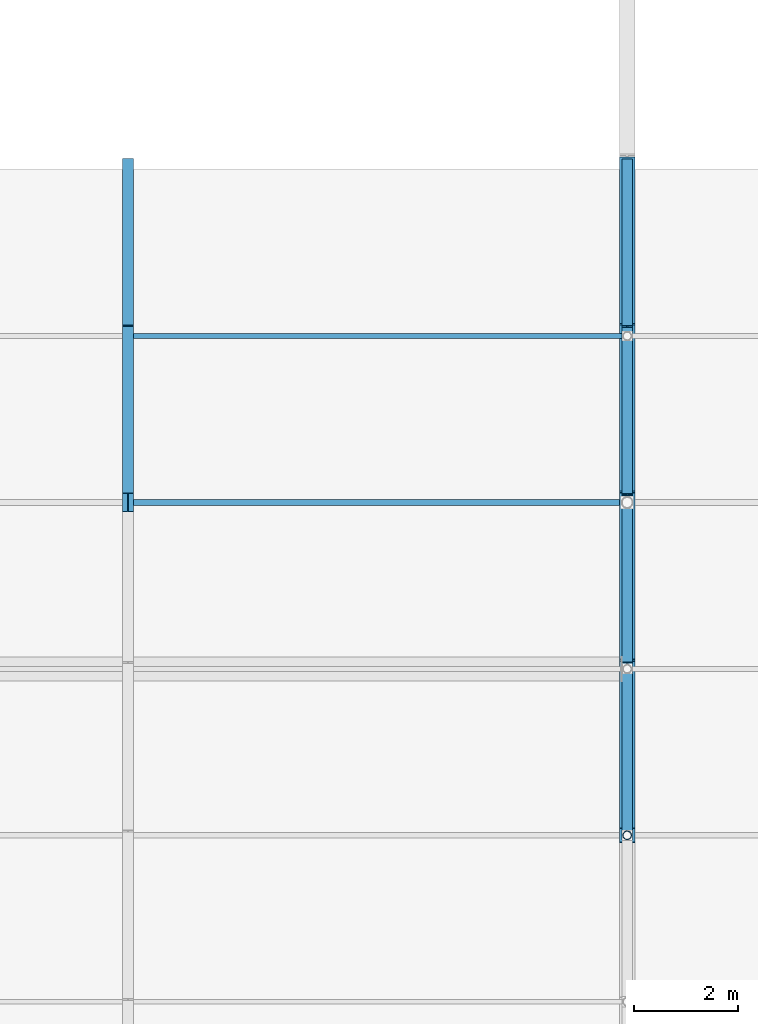
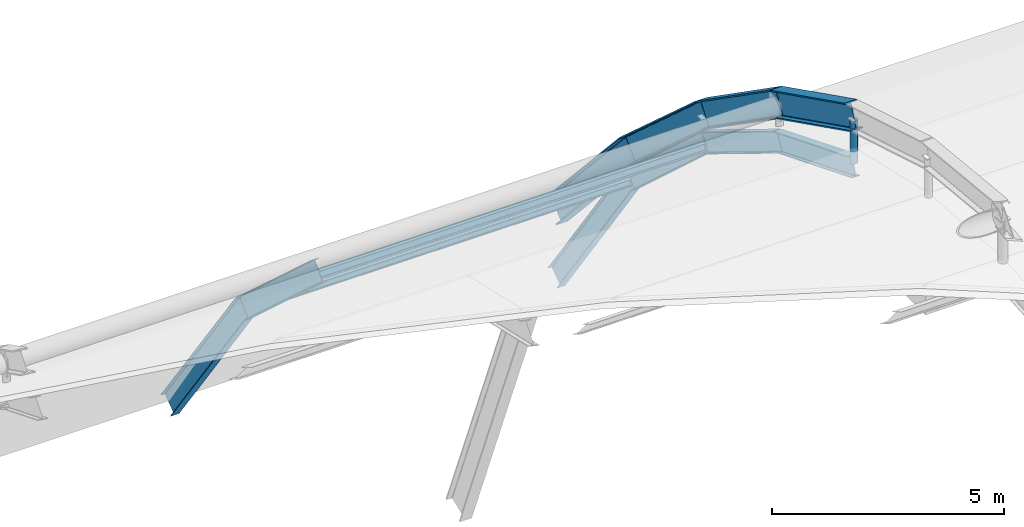
# One storey, part 89 of 126: 10 beams, 3 members.
"""IFC4 building model written with IfcOpenShell, lengths in metres."""

from ifc_helpers import new_model, si_unit, direction, frame, origin, origin_2d, place, context, subcontext, project, spatial, hollow_circle, i_section, extrude, material, material_profile, profile_set, type_object, element, save


model = new_model("IFC4")

# Units and contexts
model_context = context("Model", 3, precision=1e-05, world=origin(), true_north=direction((0.0, 1.0)))
body_context = subcontext(model_context, "Body", "Model", "MODEL_VIEW")
ifc_project = project(units=[si_unit("LENGTHUNIT", "METRE"), si_unit("AREAUNIT", "SQUARE_METRE"), si_unit("VOLUMEUNIT", "CUBIC_METRE"), si_unit("PLANEANGLEUNIT", "RADIAN"), si_unit("MASSUNIT", "GRAM", prefix="KILO")], contexts=[model_context])

# Site, building, storey
site_placement = place(None, origin())
site = spatial("IfcSite", under=ifc_project, at=site_placement, CompositionType="ELEMENT")
building_placement = place(site_placement, origin())
building = spatial("IfcBuilding", under=site, at=building_placement, Name="Coralgate Yard Interchange", CompositionType="ELEMENT")
storey_placement = place(building_placement, frame((0.0, 0.0, 10.5)))
storey = spatial("IfcBuildingStorey", under=building, at=storey_placement, Name="L02", CompositionType="ELEMENT", Elevation=10.5)

# Beams
ifc_material_1 = material(Name="Yellow-ochre weather-coated structural steel S355J2", Category="steel")
ifc_material_profile_1 = material_profile(ifc_material_1, i_section(OverallWidth=0.300048828125, OverallDepth=0.64990234375, WebThickness=0.01611328125, FlangeThickness=0.031005859375, FilletRadius=0.027099609375, at=origin_2d()), Name="HEB 650")
ifc_profile_set_1 = profile_set([ifc_material_profile_1], Name="Yellow-ochre weather-coated structural steel S355J2")
beam_type_1 = type_object("IfcBeamType", Name="BM-AR-1", PredefinedType="BEAM", material=ifc_profile_set_1)
beam_1_placement = place(storey_placement, frame((124.800048828125, 64.0, 11.922119140625), z_axis=(0.0, 0.894740986573, -0.446585453129), x_axis=(-1.0, 0.0, 0.0)))
element("IfcBeam", 1, at=beam_1_placement, inside=storey, type_object=beam_type_1, Name="Yellow-ochre overarching steel arch AR-5 chord 10", PredefinedType="BEAM", context=body_context, shape_type="SweptSolid", body=[
    extrude(i_section(OverallWidth=0.300048828125, OverallDepth=0.64990234375, WebThickness=0.01611328125, FlangeThickness=0.031005859375, FilletRadius=0.027099609375, at=origin_2d()), origin(), (0.0, 0.0, 1.0), 3.576416015625),
])
beam_2_placement = place(storey_placement, frame((124.800048828125, 67.199951171875, 10.324951171875), z_axis=(0.0, 0.819698802508, -0.572794791498), x_axis=(-1.0, 0.0, 0.0)))
element("IfcBeam", 2, at=beam_2_placement, inside=storey, type_object=beam_type_1, Name="Yellow-ochre overarching steel arch AR-5 chord 11", PredefinedType="BEAM", context=body_context, shape_type="SweptSolid", body=[
    extrude(i_section(OverallWidth=0.300048828125, OverallDepth=0.64990234375, WebThickness=0.01611328125, FlangeThickness=0.031005859375, FilletRadius=0.027099609375, at=origin_2d()), origin(), (0.0, 0.0, 1.0), 3.90380859375),
])
beam_3_placement = place(storey_placement, frame((124.800048828125, 70.39990234375, 8.0888671875), z_axis=(0.0, 0.743892086075, -0.668299756303), x_axis=(-1.0, 0.0, 0.0)))
element("IfcBeam", 3, at=beam_3_placement, inside=storey, type_object=beam_type_1, Name="Yellow-ochre overarching steel arch AR-5 chord 12", PredefinedType="BEAM", context=body_context, shape_type="SweptSolid", body=[
    extrude(i_section(OverallWidth=0.300048828125, OverallDepth=0.64990234375, WebThickness=0.01611328125, FlangeThickness=0.031005859375, FilletRadius=0.027099609375, at=origin_2d()), origin(), (0.0, 0.0, 1.0), 4.302001953125),
])
beam_4_placement = place(storey_placement, frame((124.800048828125, 73.60009765625, 5.2138671875), z_axis=(0.0, 0.673304095466, -0.739365670713), x_axis=(-1.0, 0.0, 0.0)))
element("IfcBeam", 4, at=beam_4_placement, inside=storey, type_object=beam_type_1, Name="Yellow-ochre overarching steel arch AR-5 chord 13", PredefinedType="BEAM", context=body_context, shape_type="SweptSolid", body=[
    extrude(i_section(OverallWidth=0.300048828125, OverallDepth=0.64990234375, WebThickness=0.01611328125, FlangeThickness=0.031005859375, FilletRadius=0.027099609375, at=origin_2d()), origin(), (0.0, 0.0, 1.0), 4.752685546875),
])
ifc_material_2 = material(Name="Weather-coated structural steel S355J2", Category="steel")
ifc_material_profile_2 = material_profile(ifc_material_2, i_section(OverallWidth=0.209228515625, OverallDepth=0.533203125, WebThickness=0.010009765625, FlangeThickness=0.015625, FilletRadius=0.0126953125, at=origin_2d()), Name="UB 533x210x92")
ifc_profile_set_2 = profile_set([ifc_material_profile_2], Name="Weather-coated structural steel S355J2")
beam_type_2 = type_object("IfcBeamType", Name="BM-VR-1", PredefinedType="BEAM", material=ifc_profile_set_2)
beam_5_placement = place(storey_placement, frame((115.199951171875, 70.39990234375, 7.332763671875), z_axis=(0.0, 0.739500841068, -0.673155632867), x_axis=(-1.0, 0.0, 0.0)))
element("IfcBeam", 5, at=beam_5_placement, inside=storey, type_object=beam_type_2, Name="Barrel-vault gridshell rib 9 seg 11", PredefinedType="BEAM", context=body_context, shape_type="SweptSolid", body=[
    extrude(i_section(OverallWidth=0.209228515625, OverallDepth=0.533203125, WebThickness=0.010009765625, FlangeThickness=0.015625, FilletRadius=0.0126953125, at=origin_2d()), origin(), (0.0, 0.0, 1.0), 4.327392578125),
])
beam_6_placement = place(storey_placement, frame((115.199951171875, 73.60009765625, 4.419677734375), z_axis=(0.0, 0.581821714705, -0.813316354377), x_axis=(-1.0, 0.0, 0.0)))
element("IfcBeam", 6, at=beam_6_placement, inside=storey, type_object=beam_type_2, Name="Barrel-vault gridshell rib 9 seg 12", PredefinedType="BEAM", context=body_context, shape_type="SweptSolid", body=[
    extrude(i_section(OverallWidth=0.209228515625, OverallDepth=0.533203125, WebThickness=0.010009765625, FlangeThickness=0.015625, FilletRadius=0.0126953125, at=origin_2d()), origin(), (0.0, 0.0, 1.0), 5.5),
])
ifc_material_profile_3 = material_profile(ifc_material_2, i_section(OverallWidth=0.199951171875, OverallDepth=0.5, WebThickness=0.01025390625, FlangeThickness=0.01611328125, FilletRadius=0.02099609375, at=origin_2d()), Name="IPE 500")
ifc_profile_set_3 = profile_set([ifc_material_profile_3], Name="Weather-coated structural steel S355J2")
beam_type_3 = type_object("IfcBeamType", Name="BM-VR-2", PredefinedType="BEAM", material=ifc_profile_set_3)
beam_7_placement = place(storey_placement, frame((124.800048828125, 64.0, 10.60009765625), z_axis=(0.0, 0.927713244188, -0.373293633161), x_axis=(-1.0, 0.0, 0.0)))
element("IfcBeam", 7, at=beam_7_placement, inside=storey, type_object=beam_type_3, Name="Barrel-vault gridshell rib 10 seg 9", PredefinedType="BEAM", context=body_context, shape_type="SweptSolid", body=[
    extrude(i_section(OverallWidth=0.199951171875, OverallDepth=0.5, WebThickness=0.01025390625, FlangeThickness=0.01611328125, FilletRadius=0.02099609375, at=origin_2d()), origin(), (0.0, 0.0, 1.0), 3.44921875),
])
beam_8_placement = place(storey_placement, frame((124.800048828125, 67.199951171875, 9.3125), z_axis=(0.0, 0.852378727212, -0.522924951973), x_axis=(-1.0, 0.0, 0.0)))
element("IfcBeam", 8, at=beam_8_placement, inside=storey, type_object=beam_type_3, Name="Barrel-vault gridshell rib 10 seg 10", PredefinedType="BEAM", context=body_context, shape_type="SweptSolid", body=[
    extrude(i_section(OverallWidth=0.199951171875, OverallDepth=0.5, WebThickness=0.01025390625, FlangeThickness=0.01611328125, FilletRadius=0.02099609375, at=origin_2d()), origin(), (0.0, 0.0, 1.0), 3.754150390625),
])
beam_9_placement = place(storey_placement, frame((124.800048828125, 70.39990234375, 7.349365234375), z_axis=(0.0, 0.739500841068, -0.673155632867), x_axis=(-1.0, 0.0, 0.0)))
element("IfcBeam", 9, at=beam_9_placement, inside=storey, type_object=beam_type_3, Name="Barrel-vault gridshell rib 10 seg 11", PredefinedType="BEAM", context=body_context, shape_type="SweptSolid", body=[
    extrude(i_section(OverallWidth=0.199951171875, OverallDepth=0.5, WebThickness=0.01025390625, FlangeThickness=0.01611328125, FilletRadius=0.02099609375, at=origin_2d()), origin(), (0.0, 0.0, 1.0), 4.327392578125),
])
beam_10_placement = place(storey_placement, frame((124.800048828125, 73.60009765625, 4.436279296875), z_axis=(0.0, 0.578975368299, -0.81534503304), x_axis=(-1.0, 0.0, 0.0)))
element("IfcBeam", 10, at=beam_10_placement, inside=storey, type_object=beam_type_3, Name="Barrel-vault gridshell rib 10 seg 12", PredefinedType="BEAM", context=body_context, shape_type="SweptSolid", body=[
    extrude(i_section(OverallWidth=0.199951171875, OverallDepth=0.5, WebThickness=0.01025390625, FlangeThickness=0.01611328125, FilletRadius=0.02099609375, at=origin_2d()), origin(), (0.0, 0.0, 1.0), 5.52685546875),
])

# Members
ifc_material_profile_4 = material_profile(ifc_material_1, hollow_circle(Radius=0.084228515625, WallThickness=0.008056640625, at=origin_2d()), Name="CHS 168.3x8")
ifc_profile_set_4 = profile_set([ifc_material_profile_4], Name="Yellow-ochre weather-coated structural steel S355J2")
member_type_1 = type_object("IfcMemberType", Name="MB-HG-2", PredefinedType="STRUT", material=ifc_profile_set_4)
member_1_placement = place(storey_placement, frame((124.800048828125, 64.0, 10.7001953125), z_axis=(0.0, 0.0, 1.0), x_axis=(1.0, 0.0, 0.0)))
element("IfcMember", 11, at=member_1_placement, inside=storey, type_object=member_type_1, Name="Arch AR-5 steel suspension hanger 8", PredefinedType="STRUT", context=body_context, shape_type="SweptSolid", body=[
    extrude(hollow_circle(Radius=0.084228515625, WallThickness=0.008056640625, at=origin_2d()), origin(), (0.0, 0.0, 1.0), 1.1220703125),
])
ifc_material_profile_5 = material_profile(ifc_material_2, i_section(OverallWidth=0.110107421875, OverallDepth=0.219970703125, WebThickness=0.005859375, FlangeThickness=0.00927734375, FilletRadius=0.011962890625, at=origin_2d()), Name="IPE 220")
ifc_profile_set_5 = profile_set([ifc_material_profile_5], Name="Weather-coated structural steel S355J2")
member_type_2 = type_object("IfcMemberType", Name="MB-PR-1", PredefinedType="PURLIN", material=ifc_profile_set_5)
member_2_placement = place(storey_placement, frame((115.201904296875, 70.39990234375, 7.2392578125), z_axis=(1.0, 0.0, 0.0), x_axis=(0.0, 1.0, 0.0)))
element("IfcMember", 12, at=member_2_placement, inside=storey, type_object=member_type_2, Name="Barrel-vault gridshell purlin 9-11", PredefinedType="PURLIN", context=body_context, shape_type="SweptSolid", body=[
    extrude(i_section(OverallWidth=0.110107421875, OverallDepth=0.219970703125, WebThickness=0.005859375, FlangeThickness=0.00927734375, FilletRadius=0.011962890625, at=origin_2d()), origin(), (0.0, 0.0, 1.0), 9.59619140625),
])
ifc_material_3 = material(Name="Off-white architectural structural steel S355J2", Category="steel")
ifc_material_profile_6 = material_profile(ifc_material_3, i_section(OverallWidth=0.091064453125, OverallDepth=0.179931640625, WebThickness=0.00537109375, FlangeThickness=0.008056640625, FilletRadius=0.009033203125, at=origin_2d()), Name="IPE 180")
ifc_profile_set_6 = profile_set([ifc_material_profile_6], Name="Off-white architectural structural steel S355J2")
member_type_3 = type_object("IfcMemberType", Name="MB-PR-2", PredefinedType="PURLIN", material=ifc_profile_set_6)
member_3_placement = place(storey_placement, frame((115.201904296875, 73.60009765625, 4.3662109375), z_axis=(1.0, 0.0, 0.0), x_axis=(0.0, 1.0, 0.0)))
element("IfcMember", 13, at=member_3_placement, inside=storey, type_object=member_type_3, Name="Barrel-vault gridshell purlin 9-12", PredefinedType="PURLIN", context=body_context, shape_type="SweptSolid", body=[
    extrude(i_section(OverallWidth=0.091064453125, OverallDepth=0.179931640625, WebThickness=0.00537109375, FlangeThickness=0.008056640625, FilletRadius=0.009033203125, at=origin_2d()), origin(), (0.0, 0.0, 1.0), 9.59619140625),
])

save(model, "model.ifc")
